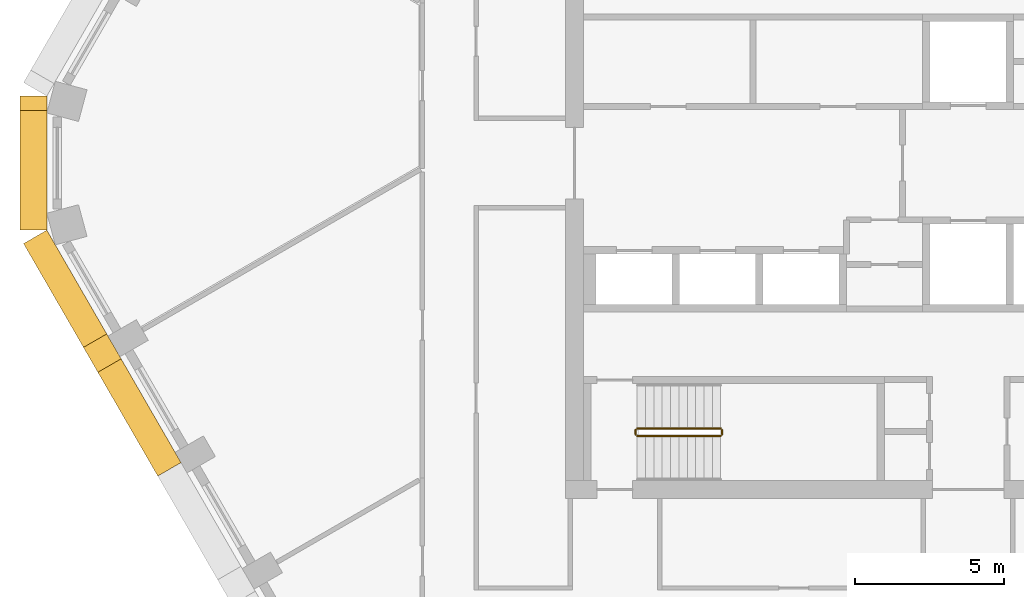
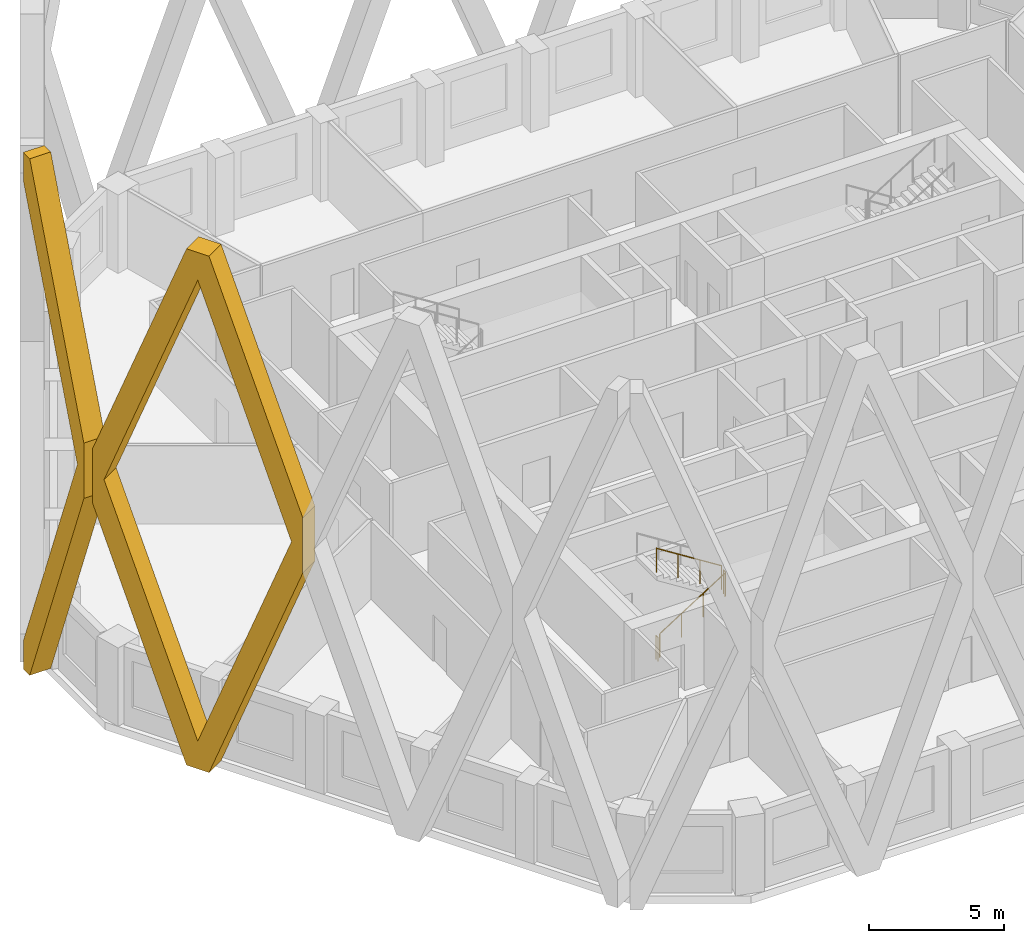
# One storey, part 10 of 16: 4 railings, 2 coverings.
"""IFC4 building model written with IfcOpenShell, lengths in metres."""

from ifc_helpers import new_model, si_unit, direction, frame, origin, origin_2d, place, context, subcontext, project, spatial, polyline, circle, outline, extrude, material, type_object, element, save


model = new_model("IFC4")

# Units and contexts
model_context = context("Model", 3, precision=1e-05, world=origin(), true_north=direction((0.0, 1.0)))
body_context = subcontext(model_context, "Body", "Model", "MODEL_VIEW")
ifc_project = project(units=[si_unit("LENGTHUNIT", "METRE"), si_unit("AREAUNIT", "SQUARE_METRE"), si_unit("VOLUMEUNIT", "CUBIC_METRE"), si_unit("PLANEANGLEUNIT", "RADIAN"), si_unit("MASSUNIT", "GRAM", prefix="KILO")], contexts=[model_context])

# Site, building, storey
site_placement = place(None, origin())
site = spatial("IfcSite", under=ifc_project, at=site_placement, CompositionType="ELEMENT")
building_placement = place(site_placement, origin())
building = spatial("IfcBuilding", under=site, at=building_placement, Name="Dhurran Vertical Campus", CompositionType="ELEMENT")
storey_placement = place(building_placement, frame((0.0, 0.0, 183.89990234375)))
storey = spatial("IfcBuildingStorey", under=building, at=storey_placement, Name="L45", CompositionType="ELEMENT", Elevation=183.89990234375)

# Coverings
ifc_material_1 = material(Name="Precast concrete C50/60", Category="concrete")
covering_type = type_object("IfcCoveringType", Name="Folded precast fin lattice diamond", PredefinedType="USERDEFINED", material=ifc_material_1)
covering_1_placement = place(storey_placement, frame((-30.897216796875, 2.25, 0.0), z_axis=(-1.0, 0.0, 0.0), x_axis=(0.0, -1.0, 0.0)))
element("IfcCovering", 1, at=covering_1_placement, inside=storey, type_object=covering_type, Name="FN1 L45.022", ObjectType="FIN", PredefinedType="USERDEFINED", context=body_context, shape_type="SweptSolid", body=[
    extrude(outline(polyline([(4.5, 10.4462890625), (0.482177734375, 0.0), (0.0, 0.0), (0.0, 1.253662109375), (4.017822265625, 11.699951171875), (0.0, 22.146484375), (0.0, 23.39990234375), (0.482177734375, 23.39990234375), (4.5, 12.95361328125), (4.5, 10.4462890625)])), origin(), (0.0, 0.0, 1.0), 0.89990234375),
])
covering_2_placement = place(storey_placement, frame((-30.897216796875, -2.25, 0.0), z_axis=(-0.866013897511, -0.50001992892, 0.0), x_axis=(0.50001992892, -0.866013897511, 0.0)))
element("IfcCovering", 2, at=covering_2_placement, inside=storey, type_object=covering_type, Name="FN1 L45.023", ObjectType="FIN", PredefinedType="USERDEFINED", context=body_context, shape_type="SweptSolid", body=[
    extrude(outline(polyline([(9.0, 12.95361328125), (9.0, 10.4462890625), (4.982177734375, 0.0), (4.017822265625, 0.0), (0.0, 10.4462890625), (0.0, 12.95361328125), (4.017822265625, 23.39990234375), (4.982177734375, 23.39990234375), (9.0, 12.95361328125)]), holes=[polyline([(8.517822265625, 11.699951171875), (4.5, 22.146484375), (0.482177734375, 11.699951171875), (4.5, 1.253662109375), (8.517822265625, 11.699951171875)])]), origin(), (0.0, 0.0, 1.0), 0.89990234375),
])

# Railings
ifc_material_2 = material(Name="Stainless steel balustrade", Category="steel")
railing_type = type_object("IfcRailingType", Name="co-RL-GUARD-1100", PredefinedType="GUARDRAIL", material=ifc_material_2)
railing_1_placement = place(storey_placement, frame((-11.10009765625, -9.14990234375, 0.177490234375)))
element("IfcRailing", 3, at=railing_1_placement, inside=storey, type_object=railing_type, Name="L45 ST3 stair guard 1", PredefinedType="GUARDRAIL", context=body_context, shape_type="SweptSolid", body=[
    extrude(circle(Radius=0.02392578125, at=origin_2d()), frame((0.0, 0.0, 1.076171875), z_axis=(0.844908973607, 0.0, 0.534910110503), x_axis=(0.0, 1.0, 0.0)), (0.0, 0.0, 1.0), 3.31396484375),
    extrude(circle(Radius=0.02099609375, at=origin_2d()), origin(), (0.0, 0.0, 1.0), 1.052001953125),
    extrude(circle(Radius=0.02099609375, at=origin_2d()), frame((0.933349609375, 0.0, 0.5908203125)), (0.0, 0.0, 1.0), 1.052001953125),
    extrude(circle(Radius=0.02099609375, at=origin_2d()), frame((1.86669921875, 0.0, 1.181884765625)), (0.0, 0.0, 1.0), 1.052001953125),
    extrude(circle(Radius=0.02099609375, at=origin_2d()), frame((2.800048828125, 0.0, 1.772705078125)), (0.0, 0.0, 1.0), 1.052001953125),
])
railing_2_placement = place(storey_placement, frame((-8.25, -9.10009765625, 1.9501953125)))
element("IfcRailing", 4, at=railing_2_placement, inside=storey, type_object=railing_type, Name="L45 ST3 stair guard 2", PredefinedType="GUARDRAIL", context=body_context, shape_type="SweptSolid", body=[
    extrude(circle(Radius=0.02392578125, at=origin_2d()), frame((0.0, 0.0, 1.076171875), z_axis=(0.0, 1.0, 0.0), x_axis=(-1.0, 0.0, 0.0)), (0.0, 0.0, 1.0), 0.150146484375),
    extrude(circle(Radius=0.02099609375, at=origin_2d()), origin(), (0.0, 0.0, 1.0), 1.052001953125),
    extrude(circle(Radius=0.02099609375, at=origin_2d()), frame((0.0, 0.150146484375, 0.0)), (0.0, 0.0, 1.0), 1.052001953125),
])
railing_3_placement = place(storey_placement, frame((-8.300048828125, -8.89990234375, 2.12744140625)))
element("IfcRailing", 5, at=railing_3_placement, inside=storey, type_object=railing_type, Name="L45 ST3 stair guard 3", PredefinedType="GUARDRAIL", context=body_context, shape_type="SweptSolid", body=[
    extrude(circle(Radius=0.02392578125, at=origin_2d()), frame((0.0, 0.0, 1.076171875), z_axis=(-0.844908973607, 0.0, 0.534910110503), x_axis=(0.0, -1.0, 0.0)), (0.0, 0.0, 1.0), 3.31396484375),
    extrude(circle(Radius=0.02099609375, at=origin_2d()), origin(), (0.0, 0.0, 1.0), 1.052001953125),
    extrude(circle(Radius=0.02099609375, at=origin_2d()), frame((-0.933349609375, 0.0, 0.5908203125)), (0.0, 0.0, 1.0), 1.052001953125),
    extrude(circle(Radius=0.02099609375, at=origin_2d()), frame((-1.86669921875, 0.0, 1.181884765625)), (0.0, 0.0, 1.0), 1.052001953125),
    extrude(circle(Radius=0.02099609375, at=origin_2d()), frame((-2.800048828125, 0.0, 1.772705078125)), (0.0, 0.0, 1.0), 1.052001953125),
])
railing_4_placement = place(storey_placement, frame((-11.14990234375, -9.10009765625, 0.0)))
element("IfcRailing", 6, at=railing_4_placement, inside=storey, type_object=railing_type, Name="L45 ST3 stair guard 4", PredefinedType="GUARDRAIL", context=body_context, shape_type="SweptSolid", body=[
    extrude(circle(Radius=0.02392578125, at=origin_2d()), frame((0.0, 0.0, 1.076171875), z_axis=(0.0, 1.0, 0.0), x_axis=(-1.0, 0.0, 0.0)), (0.0, 0.0, 1.0), 0.150146484375),
    extrude(circle(Radius=0.02099609375, at=origin_2d()), origin(), (0.0, 0.0, 1.0), 1.052001953125),
    extrude(circle(Radius=0.02099609375, at=origin_2d()), frame((0.0, 0.150146484375, 0.0)), (0.0, 0.0, 1.0), 1.052001953125),
])

save(model, "model.ifc")
